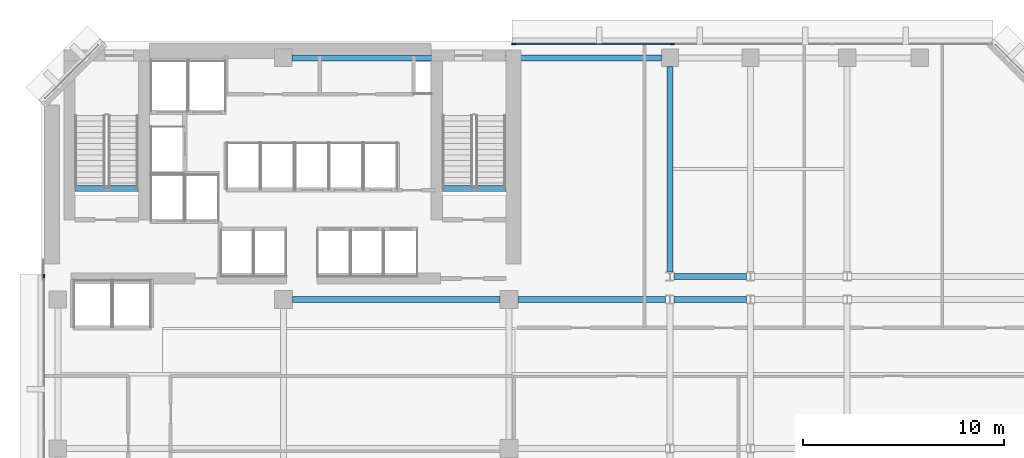
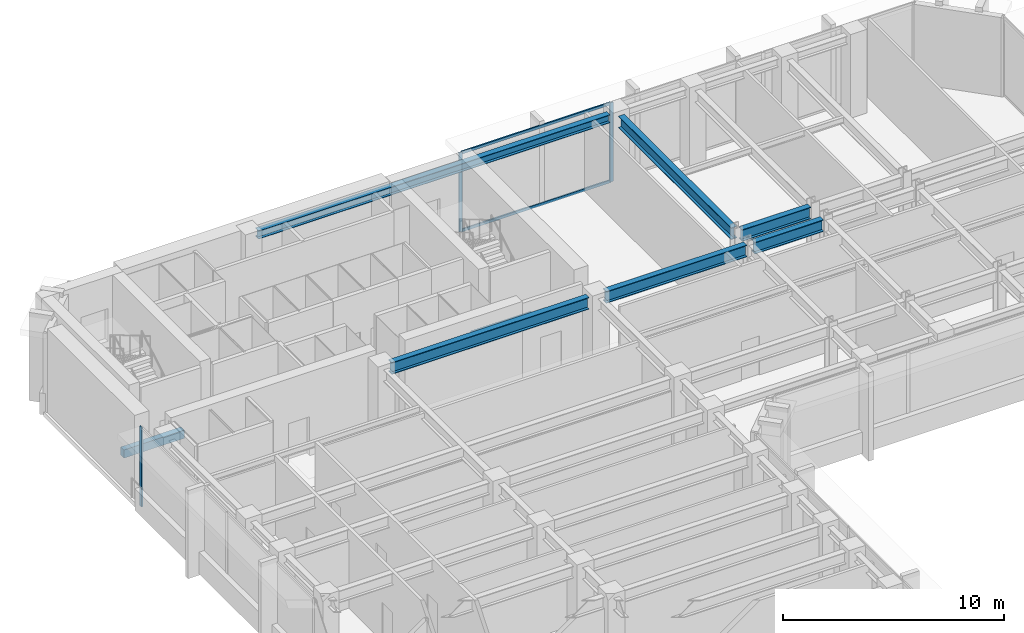
# One storey, part 4 of 13: 8 beams, 5 members, 2 elements without a shape of their own.
"""IFC4 building model written with IfcOpenShell, lengths in metres."""

from ifc_helpers import new_model, si_unit, direction, frame, origin, origin_2d, place, context, subcontext, project, spatial, rectangle, i_section, extrude, material, layer, layer_set, material_profile, profile_set, type_object, element, aggregate, save


model = new_model("IFC4")

# Units and contexts
model_context = context("Model", 3, precision=1e-05, world=origin(), true_north=direction((0.0, 1.0)))
body_context = subcontext(model_context, "Body", "Model", "MODEL_VIEW")
ifc_project = project(units=[si_unit("LENGTHUNIT", "METRE"), si_unit("AREAUNIT", "SQUARE_METRE"), si_unit("VOLUMEUNIT", "CUBIC_METRE"), si_unit("PLANEANGLEUNIT", "RADIAN"), si_unit("MASSUNIT", "GRAM", prefix="KILO")], contexts=[model_context])

# Site, building, storey
site_placement = place(None, origin())
site = spatial("IfcSite", under=ifc_project, at=site_placement, CompositionType="ELEMENT")
building_placement = place(site_placement, origin())
building = spatial("IfcBuilding", under=site, at=building_placement, Name="Kefirva Bronze Tower", CompositionType="ELEMENT")
storey_placement = place(building_placement, frame((0.0, 0.0, 130.35009765625)))
storey = spatial("IfcBuildingStorey", under=building, at=storey_placement, Name="L31", CompositionType="ELEMENT", Elevation=130.35009765625)

# Curtain wall, members
ifc_material_1 = material(Name="Bronze anodised aluminium", Category="aluminium")
ifc_layer = layer(ifc_material_1, 0.199951171875, Name="Bronze anodised aluminium")
ifc_layer_set = layer_set([ifc_layer], Name="Bronze anodised aluminium")
curtain_wall_type = type_object("IfcCurtainWallType", Name="Unitised Bronze Ribbon Curtain Wall Zone 2", PredefinedType="USERDEFINED", material=ifc_layer_set)
curtain_wall_1_placement = place(storey_placement, origin())
curtain_wall_1 = element("IfcCurtainWall", 1, at=curtain_wall_1_placement, inside=storey, type_object=curtain_wall_type, Name="L31 Curtain Wall 4", ObjectType="UNITISED CURTAIN WALL", PredefinedType="USERDEFINED")
ifc_material_profile_1 = material_profile(ifc_material_1, rectangle(XDim=0.074951171875, YDim=0.179931640625, at=origin_2d()), Name="ALU 75x180")
ifc_profile_set_1 = profile_set([ifc_material_profile_1], Name="Bronze anodised aluminium")
member_type_1 = type_object("IfcMemberType", Name="Bronze Mullion 75x180", PredefinedType="MULLION", material=ifc_profile_set_1)
member_1_placement = place(storey_placement, frame((31.318359375, 45.8798828125, 0.0), z_axis=(0.0, 0.0, 1.0), x_axis=(0.0, -1.0, 0.0)))
member_1 = element("IfcMember", 2, at=member_1_placement, type_object=member_type_1, Name="CW-02 mullion 3", PredefinedType="MULLION", context=body_context, shape_type="SweptSolid", body=[
    extrude(rectangle(XDim=0.074951171875, YDim=0.179931640625, at=origin_2d()), origin(), (0.0, 0.0, 1.0), 4.369873046875),
])
member_2_placement = place(storey_placement, frame((23.4423828125, 45.8798828125, 0.0), z_axis=(0.0, 0.0, 1.0), x_axis=(0.0, -1.0, 0.0)))
member_2 = element("IfcMember", 3, at=member_2_placement, type_object=member_type_1, Name="CW-02 mullion 4", PredefinedType="MULLION", context=body_context, shape_type="SweptSolid", body=[
    extrude(rectangle(XDim=0.074951171875, YDim=0.179931640625, at=origin_2d()), origin(), (0.0, 0.0, 1.0), 4.369873046875),
])

# Curtain wall, member
curtain_wall_2_placement = place(storey_placement, origin())
curtain_wall_2 = element("IfcCurtainWall", 4, at=curtain_wall_2_placement, inside=storey, type_object=curtain_wall_type, Name="L31 Curtain Wall 5", ObjectType="UNITISED CURTAIN WALL", PredefinedType="USERDEFINED")
member_3_placement = place(storey_placement, frame((0.1201171875, 34.357421875, 0.0), z_axis=(0.0, 0.0, 1.0), x_axis=(1.0, 0.0, 0.0)))
member_3 = element("IfcMember", 5, at=member_3_placement, type_object=member_type_1, Name="CW-02 mullion 1", PredefinedType="MULLION", context=body_context, shape_type="SweptSolid", body=[
    extrude(rectangle(XDim=0.074951171875, YDim=0.179931640625, at=origin_2d()), origin(), (0.0, 0.0, 1.0), 4.369873046875),
])
aggregate(curtain_wall_2, [member_3])

# Member
ifc_material_profile_2 = material_profile(ifc_material_1, rectangle(XDim=0.074951171875, YDim=0.14990234375, at=origin_2d()), Name="ALU 75x150")
ifc_profile_set_2 = profile_set([ifc_material_profile_2], Name="Bronze anodised aluminium")
member_type_2 = type_object("IfcMemberType", Name="Bronze Transom 75x150", PredefinedType="USERDEFINED", material=ifc_profile_set_2)
member_4_placement = place(storey_placement, frame((31.28076171875, 45.8798828125, 0.037353515625), z_axis=(-1.0, 0.0, 0.0), x_axis=(0.0, -1.0, 0.0)))
member_4 = element("IfcMember", 6, at=member_4_placement, type_object=member_type_2, Name="CW-02 transom 3.1", ObjectType="TRANSOM", PredefinedType="USERDEFINED", context=body_context, shape_type="SweptSolid", body=[
    extrude(rectangle(XDim=0.074951171875, YDim=0.14990234375, at=origin_2d()), origin(), (0.0, 0.0, 1.0), 7.80078125),
])

member_5_placement = place(storey_placement, frame((31.28076171875, 45.8798828125, 4.33251953125), z_axis=(-1.0, 0.0, 0.0), x_axis=(0.0, -1.0, 0.0)))
member_5 = element("IfcMember", 7, at=member_5_placement, type_object=member_type_2, Name="CW-02 transom 3.2", ObjectType="TRANSOM", PredefinedType="USERDEFINED", context=body_context, shape_type="SweptSolid", body=[
    extrude(rectangle(XDim=0.074951171875, YDim=0.14990234375, at=origin_2d()), origin(), (0.0, 0.0, 1.0), 7.80078125),
])

aggregate(curtain_wall_1, [member_1, member_2, member_4, member_5])

# Beams
ifc_material_2 = material(Name="Concrete C50/60", Category="concrete")
ifc_material_profile_3 = material_profile(ifc_material_2, rectangle(XDim=0.300048828125, YDim=0.449951171875, at=origin_2d()), Name="RC 300x450")
ifc_profile_set_3 = profile_set([ifc_material_profile_3], Name="Concrete C50/60")
beam_type_1 = type_object("IfcBeamType", Name="RC Stair Trimmer Beam 300x450", PredefinedType="BEAM", material=ifc_profile_set_3)
beam_1_placement = place(storey_placement, frame((1.64501953125, 38.699951171875, -0.22509765625), z_axis=(1.0, 0.0, 0.0), x_axis=(0.0, 1.0, 0.0)))
element("IfcBeam", 8, at=beam_1_placement, inside=storey, type_object=beam_type_1, Name="L31 Stair 1 Landing Trimmer Beam", PredefinedType="BEAM", context=body_context, shape_type="SweptSolid", body=[
    extrude(rectangle(XDim=0.300048828125, YDim=0.449951171875, at=origin_2d()), origin(), (0.0, 0.0, 1.0), 3.14990234375),
])
beam_2_placement = place(storey_placement, frame((19.89501953125, 38.699951171875, -0.22509765625), z_axis=(1.0, 0.0, 0.0), x_axis=(0.0, 1.0, 0.0)))
element("IfcBeam", 9, at=beam_2_placement, inside=storey, type_object=beam_type_1, Name="L31 Stair 2 Landing Trimmer Beam", PredefinedType="BEAM", context=body_context, shape_type="SweptSolid", body=[
    extrude(rectangle(XDim=0.300048828125, YDim=0.449951171875, at=origin_2d()), origin(), (0.0, 0.0, 1.0), 3.159912109375),
])
ifc_material_3 = material(Name="Steel S355", Category="steel")
ifc_material_profile_4 = material_profile(ifc_material_3, i_section(OverallWidth=0.300048828125, OverallDepth=0.64990234375, WebThickness=0.01611328125, FlangeThickness=0.031005859375, at=origin_2d()), Name="HEB 650")
ifc_profile_set_4 = profile_set([ifc_material_profile_4], Name="Steel S355")
beam_type_2 = type_object("IfcBeamType", Name="Steel Girder HEB 650", PredefinedType="USERDEFINED", material=ifc_profile_set_4)
beam_3_placement = place(storey_placement, frame((12.449951171875, 33.199951171875, 4.044921875), z_axis=(1.0, 0.0, 0.0), x_axis=(0.0, 1.0, 0.0)))
element("IfcBeam", 10, at=beam_3_placement, inside=storey, type_object=beam_type_2, Name="L31 BM-L31-EW-12-332", ObjectType="GIRDER", PredefinedType="USERDEFINED", context=body_context, shape_type="SweptSolid", body=[
    extrude(i_section(OverallWidth=0.300048828125, OverallDepth=0.64990234375, WebThickness=0.01611328125, FlangeThickness=0.031005859375, at=origin_2d()), origin(), (0.0, 0.0, 1.0), 10.300048828125),
])
beam_4_placement = place(storey_placement, frame((23.64990234375, 33.199951171875, 4.044921875), z_axis=(1.0, 0.0, 0.0), x_axis=(0.0, 1.0, 0.0)))
element("IfcBeam", 11, at=beam_4_placement, inside=storey, type_object=beam_type_2, Name="L31 BM-L31-EW-23-332", ObjectType="GIRDER", PredefinedType="USERDEFINED", context=body_context, shape_type="SweptSolid", body=[
    extrude(i_section(OverallWidth=0.300048828125, OverallDepth=0.64990234375, WebThickness=0.01611328125, FlangeThickness=0.031005859375, at=origin_2d()), origin(), (0.0, 0.0, 1.0), 7.341064453125),
])
for number, where, z_axis, x_axis, name in (
    (12, (31.408935546875, 33.199951171875, 4.044921875), (1.0, 0.0, 0.0), (0.0, 1.0, 0.0), "L31 BM-L31-EW-31-332"),
    (13, (31.408935546875, 34.35009765625, 4.044921875), (1.0, 0.0, 0.0), (0.0, 1.0, 0.0), "L31 BM-L31-EW-31-344"),
):
    element("IfcBeam", number, at=place(storey_placement, frame(where, z_axis=z_axis, x_axis=x_axis)), inside=storey, type_object=beam_type_2, Name=name, ObjectType="GIRDER", PredefinedType="USERDEFINED", context=body_context, shape_type="SweptSolid", body=[
        extrude(i_section(OverallWidth=0.300048828125, OverallDepth=0.64990234375, WebThickness=0.01611328125, FlangeThickness=0.031005859375, at=origin_2d()), origin(), (0.0, 0.0, 1.0), 3.58203125),
    ])
beam_5_placement = place(storey_placement, frame((31.199951171875, 34.577392578125, 4.044921875), z_axis=(0.0, 1.0, 0.0), x_axis=(-1.0, 0.0, 0.0)))
element("IfcBeam", 14, at=beam_5_placement, inside=storey, type_object=beam_type_2, Name="L31 BM-L31-NS-312-34", ObjectType="GIRDER", PredefinedType="USERDEFINED", context=body_context, shape_type="SweptSolid", body=[
    extrude(i_section(OverallWidth=0.300048828125, OverallDepth=0.64990234375, WebThickness=0.01611328125, FlangeThickness=0.031005859375, at=origin_2d()), origin(), (0.0, 0.0, 1.0), 10.192626953125),
])
ifc_material_profile_5 = material_profile(ifc_material_3, i_section(OverallWidth=0.300048828125, OverallDepth=0.449951171875, WebThickness=0.013916015625, FlangeThickness=0.02587890625, at=origin_2d()), Name="HEB 450")
ifc_profile_set_5 = profile_set([ifc_material_profile_5], Name="Steel S355")
beam_type_3 = type_object("IfcBeamType", Name="Steel Spandrel HEB 450 Ext", PredefinedType="SPANDREL", material=ifc_profile_set_5)
beam_6_placement = place(storey_placement, frame((12.429931640625, 45.199951171875, 4.14501953125), z_axis=(1.0, 0.0, 0.0), x_axis=(0.0, 1.0, 0.0)))
element("IfcBeam", 15, at=beam_6_placement, inside=storey, type_object=beam_type_3, Name="L31 BM-L31-EW-12-452", PredefinedType="SPANDREL", context=body_context, shape_type="SweptSolid", body=[
    extrude(i_section(OverallWidth=0.300048828125, OverallDepth=0.449951171875, WebThickness=0.013916015625, FlangeThickness=0.02587890625, at=origin_2d()), origin(), (0.0, 0.0, 1.0), 18.340087890625),
])

save(model, "model.ifc")
